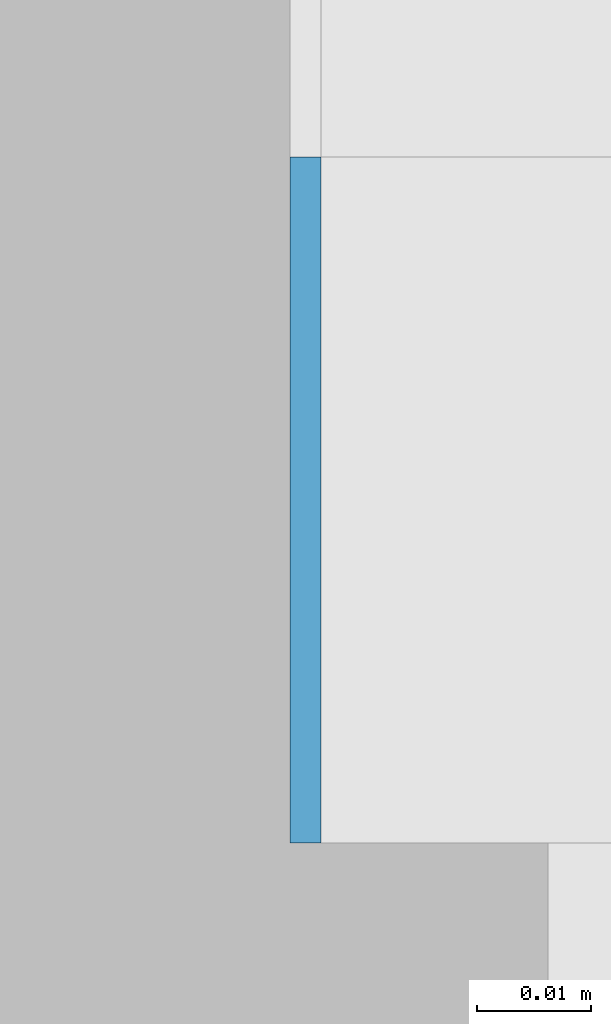
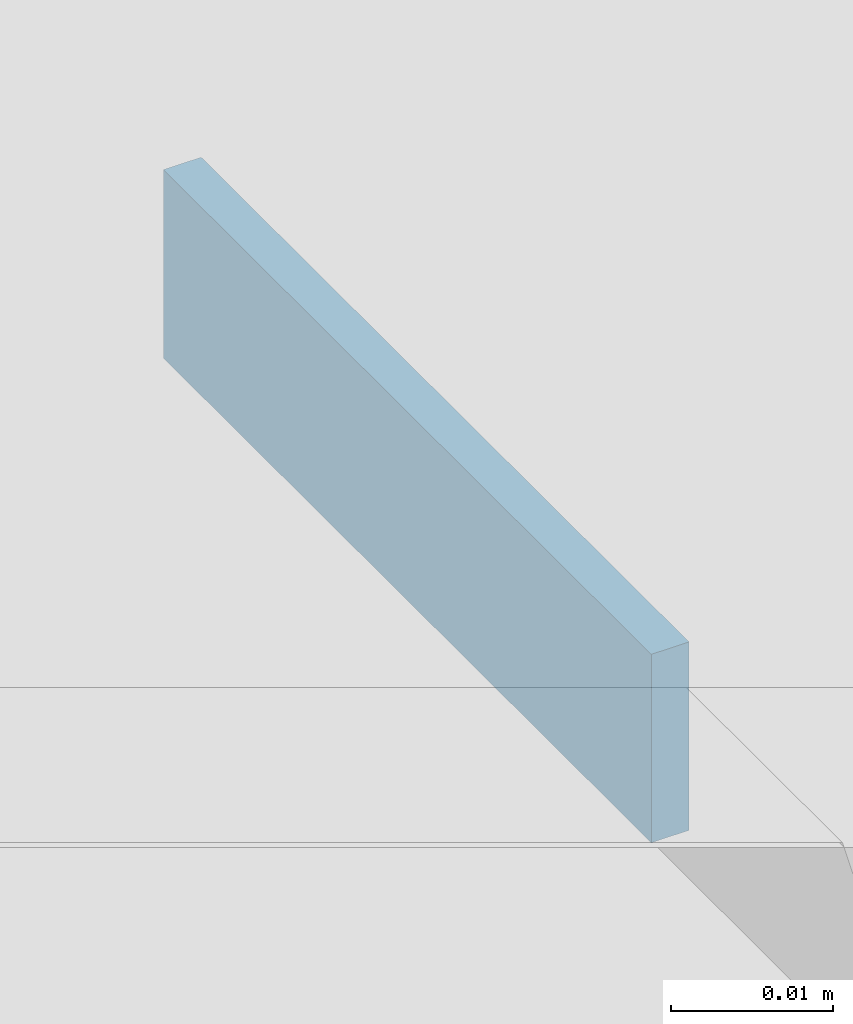
# One storey, part 459 of 646: 1 discrete accessory.
"""IFC4 building model written with IfcOpenShell, lengths in metres."""

from ifc_helpers import new_model, si_unit, direction, frame, origin, origin_2d, place, context, subcontext, project, spatial, rectangle, extrude, material, type_object, element, save


model = new_model("IFC4")

# Units and contexts
model_context = context("Model", 3, precision=1e-05, world=origin(), true_north=direction((0.0, 1.0)))
body_context = subcontext(model_context, "Body", "Model", "MODEL_VIEW")
ifc_project = project(units=[si_unit("LENGTHUNIT", "METRE"), si_unit("AREAUNIT", "SQUARE_METRE"), si_unit("VOLUMEUNIT", "CUBIC_METRE"), si_unit("PLANEANGLEUNIT", "RADIAN"), si_unit("MASSUNIT", "GRAM", prefix="KILO")], contexts=[model_context])

# Site, building, storey
site_placement = place(None, origin())
site = spatial("IfcSite", under=ifc_project, at=site_placement, CompositionType="ELEMENT")
building_placement = place(site_placement, origin())
building = spatial("IfcBuilding", under=site, at=building_placement, Name="Silverbay Arena", CompositionType="ELEMENT")
storey_placement = place(building_placement, frame((0.0, 0.0, 33.5)))
storey = spatial("IfcBuildingStorey", under=building, at=storey_placement, Name="L05", CompositionType="ELEMENT", Elevation=33.5)

# Discrete accessory
ifc_material = material(Name="Steel S355", Category="steel")
discrete_accessory_type = type_object("IfcDiscreteAccessoryType", Name="Steel bracket plate", PredefinedType="BRACKET", material=ifc_material)
discrete_accessory_placement = place(storey_placement, frame((207.128662109375, 44.969970703125, 12.98583984375), z_axis=(0.0, 0.0, 1.0), x_axis=(1.0, 0.0, 0.0)))
element("IfcDiscreteAccessory", 1, at=discrete_accessory_placement, inside=storey, type_object=discrete_accessory_type, Name="Curtain wall packing plate", PredefinedType="BRACKET", context=body_context, shape_type="SweptSolid", body=[
    extrude(rectangle(XDim=0.002685546875, YDim=0.06005859375, at=origin_2d()), origin(), (0.0, 0.0, 1.0), 0.01416015625),
])

save(model, "model.ifc")
